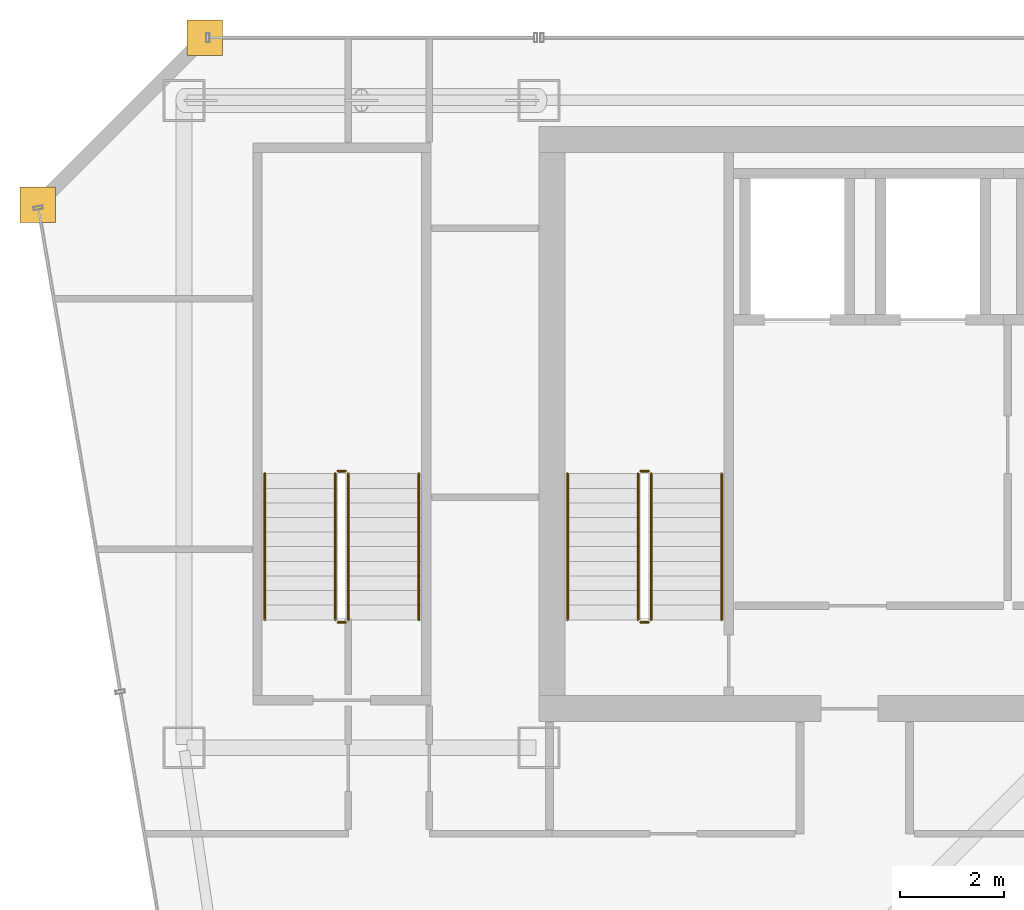
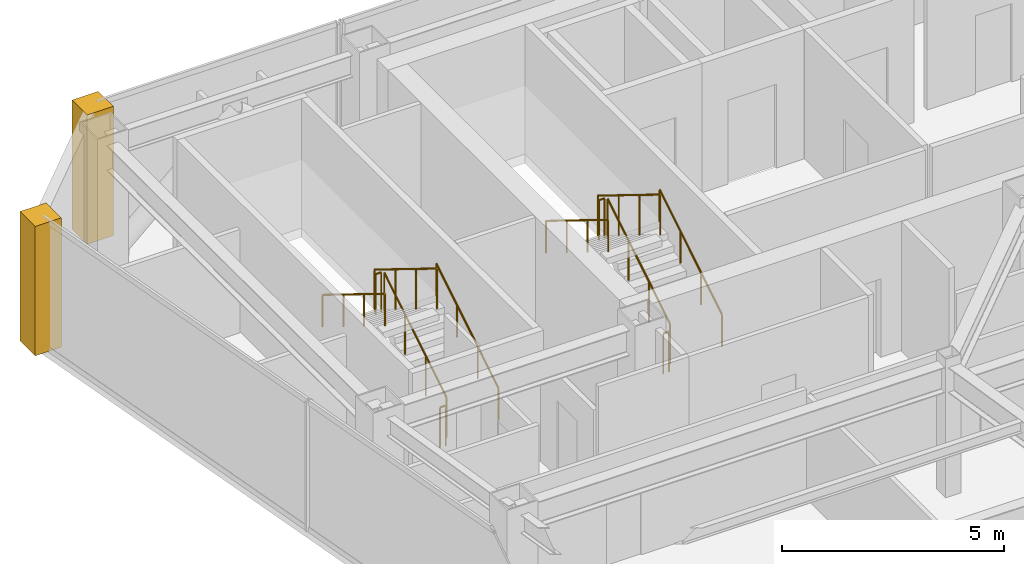
# One storey, part 34 of 35: 12 railings, 2 coverings.
"""IFC4 building model written with IfcOpenShell, lengths in metres."""

from ifc_helpers import new_model, si_unit, direction, frame, origin, origin_2d, place, context, subcontext, project, spatial, polyline, circle, outline, extrude, material, layer, layer_set, type_object, element, save


model = new_model("IFC4")

# Units and contexts
model_context = context("Model", 3, precision=1e-05, world=origin(), true_north=direction((0.0, 1.0)))
body_context = subcontext(model_context, "Body", "Model", "MODEL_VIEW")
ifc_project = project(units=[si_unit("LENGTHUNIT", "METRE"), si_unit("AREAUNIT", "SQUARE_METRE"), si_unit("VOLUMEUNIT", "CUBIC_METRE"), si_unit("PLANEANGLEUNIT", "RADIAN"), si_unit("MASSUNIT", "GRAM", prefix="KILO")], contexts=[model_context])

# Site, building, storey
site_placement = place(None, origin())
site = spatial("IfcSite", under=ifc_project, at=site_placement, CompositionType="ELEMENT")
building_placement = place(site_placement, origin())
building = spatial("IfcBuilding", under=site, at=building_placement, Name="Saevonmaru Cultural Tower", CompositionType="ELEMENT")
storey_placement = place(building_placement, frame((0.0, 0.0, 213.199951171875)))
storey = spatial("IfcBuildingStorey", under=building, at=storey_placement, Name="L49", CompositionType="ELEMENT", Elevation=213.199951171875)

# Coverings
ifc_material_1 = material(Name="Satin Bronze Anodised Aluminium", Category="aluminium")
ifc_layer = layer(ifc_material_1, 0.679931640625, Name="Satin Bronze Anodised Aluminium")
ifc_layer_set = layer_set([ifc_layer], Name="Satin Bronze Anodised Aluminium")
covering_type = type_object("IfcCoveringType", Name="CV-CORNER-CLAD", PredefinedType="CLADDING", material=ifc_layer_set)
covering_1_placement = place(storey_placement, origin())
element("IfcCovering", 1, at=covering_1_placement, inside=storey, type_object=covering_type, Name="L49 Tower Bronze Corner Cladding Pier 11", PredefinedType="CLADDING", context=body_context, shape_type="SweptSolid", body=[
    extrude(outline(polyline([(6.860107421875, 55.659912109375), (7.5400390625, 55.659912109375), (7.5400390625, 56.340087890625), (6.860107421875, 56.340087890625), (6.860107421875, 55.659912109375)])), origin(), (0.0, 0.0, 1.0), 3.550048828125),
])
covering_2_placement = place(storey_placement, origin())
element("IfcCovering", 2, at=covering_2_placement, inside=storey, type_object=covering_type, Name="L49 Tower Bronze Corner Cladding Pier 12", PredefinedType="CLADDING", context=body_context, shape_type="SweptSolid", body=[
    extrude(outline(polyline([(3.659912109375, 52.4599609375), (4.340087890625, 52.4599609375), (4.340087890625, 53.139892578125), (3.659912109375, 53.139892578125), (3.659912109375, 52.4599609375)])), origin(), (0.0, 0.0, 1.0), 3.550048828125),
])

# Railings
ifc_material_2 = material(Name="Architectural Painted Steel", Category="steel")
railing_type_1 = type_object("IfcRailingType", Name="RL-STAIR-GUARD", PredefinedType="GUARDRAIL", material=ifc_material_2)
railing_1_placement = place(storey_placement, frame((15.75, 44.85009765625, 0.1728515625)))
element("IfcRailing", 3, at=railing_1_placement, inside=storey, type_object=railing_type_1, Name="L49 ST-1 stair guard 1", PredefinedType="GUARDRAIL", context=body_context, shape_type="SweptSolid", body=[
    extrude(circle(Radius=0.02392578125, at=origin_2d()), frame((0.0, 0.0, 1.09619140625), z_axis=(0.0, 0.851069175582, 0.525053576669), x_axis=(-1.0, 0.0, 0.0)), (0.0, 0.0, 1.0), 3.289794921875),
    extrude(circle(Radius=0.02099609375, at=origin_2d()), origin(), (0.0, 0.0, 1.0), 1.072021484375),
    extrude(circle(Radius=0.02099609375, at=origin_2d()), frame((0.0, 0.933349609375, 0.57568359375)), (0.0, 0.0, 1.0), 1.072021484375),
    extrude(circle(Radius=0.02099609375, at=origin_2d()), frame((0.0, 1.866455078125, 1.151611328125)), (0.0, 0.0, 1.0), 1.072021484375),
    extrude(circle(Radius=0.02099609375, at=origin_2d()), frame((0.0, 2.7998046875, 1.727294921875)), (0.0, 0.0, 1.0), 1.072021484375),
])
railing_2_placement = place(storey_placement, frame((15.699951171875, 47.699951171875, 1.900146484375)))
element("IfcRailing", 4, at=railing_2_placement, inside=storey, type_object=railing_type_1, Name="L49 ST-1 stair guard 2", PredefinedType="GUARDRAIL", context=body_context, shape_type="SweptSolid", body=[
    extrude(circle(Radius=0.02392578125, at=origin_2d()), frame((0.0, 0.0, 1.09619140625), z_axis=(-1.0, 0.0, 0.0), x_axis=(0.0, -1.0, 0.0)), (0.0, 0.0, 1.0), 0.14990234375),
    extrude(circle(Radius=0.02099609375, at=origin_2d()), origin(), (0.0, 0.0, 1.0), 1.072021484375),
    extrude(circle(Radius=0.02099609375, at=origin_2d()), frame((-0.14990234375, 0.0, 0.0)), (0.0, 0.0, 1.0), 1.072021484375),
])
railing_3_placement = place(storey_placement, frame((15.5, 47.64990234375, 2.07275390625)))
element("IfcRailing", 5, at=railing_3_placement, inside=storey, type_object=railing_type_1, Name="L49 ST-1 stair guard 3", PredefinedType="GUARDRAIL", context=body_context, shape_type="SweptSolid", body=[
    extrude(circle(Radius=0.02392578125, at=origin_2d()), frame((0.0, 0.0, 1.09619140625), z_axis=(0.0, -0.851069175582, 0.525053576669), x_axis=(1.0, 0.0, 0.0)), (0.0, 0.0, 1.0), 3.289794921875),
    extrude(circle(Radius=0.02099609375, at=origin_2d()), origin(), (0.0, 0.0, 1.0), 1.072021484375),
    extrude(circle(Radius=0.02099609375, at=origin_2d()), frame((0.0, -0.933349609375, 0.57568359375)), (0.0, 0.0, 1.0), 1.072021484375),
    extrude(circle(Radius=0.02099609375, at=origin_2d()), frame((0.0, -1.866455078125, 1.151611328125)), (0.0, 0.0, 1.0), 1.072021484375),
    extrude(circle(Radius=0.02099609375, at=origin_2d()), frame((0.0, -2.7998046875, 1.727294921875)), (0.0, 0.0, 1.0), 1.072021484375),
])
railing_4_placement = place(storey_placement, frame((15.699951171875, 44.800048828125, 0.0)))
element("IfcRailing", 6, at=railing_4_placement, inside=storey, type_object=railing_type_1, Name="L49 ST-1 stair guard 4", PredefinedType="GUARDRAIL", context=body_context, shape_type="SweptSolid", body=[
    extrude(circle(Radius=0.02392578125, at=origin_2d()), frame((0.0, 0.0, 1.09619140625), z_axis=(-1.0, 0.0, 0.0), x_axis=(0.0, -1.0, 0.0)), (0.0, 0.0, 1.0), 0.14990234375),
    extrude(circle(Radius=0.02099609375, at=origin_2d()), origin(), (0.0, 0.0, 1.0), 1.072021484375),
    extrude(circle(Radius=0.02099609375, at=origin_2d()), frame((-0.14990234375, 0.0, 0.0)), (0.0, 0.0, 1.0), 1.072021484375),
])
railing_5_placement = place(storey_placement, frame((9.949951171875, 44.85009765625, 0.1728515625)))
element("IfcRailing", 7, at=railing_5_placement, inside=storey, type_object=railing_type_1, Name="L49 ST-3 stair guard 1", PredefinedType="GUARDRAIL", context=body_context, shape_type="SweptSolid", body=[
    extrude(circle(Radius=0.02392578125, at=origin_2d()), frame((0.0, 0.0, 1.09619140625), z_axis=(0.0, 0.851069175582, 0.525053576669), x_axis=(-1.0, 0.0, 0.0)), (0.0, 0.0, 1.0), 3.289794921875),
    extrude(circle(Radius=0.02099609375, at=origin_2d()), origin(), (0.0, 0.0, 1.0), 1.072021484375),
    extrude(circle(Radius=0.02099609375, at=origin_2d()), frame((0.0, 0.933349609375, 0.57568359375)), (0.0, 0.0, 1.0), 1.072021484375),
    extrude(circle(Radius=0.02099609375, at=origin_2d()), frame((0.0, 1.866455078125, 1.151611328125)), (0.0, 0.0, 1.0), 1.072021484375),
    extrude(circle(Radius=0.02099609375, at=origin_2d()), frame((0.0, 2.7998046875, 1.727294921875)), (0.0, 0.0, 1.0), 1.072021484375),
])
railing_6_placement = place(storey_placement, frame((9.89990234375, 47.699951171875, 1.900146484375)))
element("IfcRailing", 8, at=railing_6_placement, inside=storey, type_object=railing_type_1, Name="L49 ST-3 stair guard 2", PredefinedType="GUARDRAIL", context=body_context, shape_type="SweptSolid", body=[
    extrude(circle(Radius=0.02392578125, at=origin_2d()), frame((0.0, 0.0, 1.09619140625), z_axis=(-1.0, 0.0, 0.0), x_axis=(0.0, -1.0, 0.0)), (0.0, 0.0, 1.0), 0.14990234375),
    extrude(circle(Radius=0.02099609375, at=origin_2d()), origin(), (0.0, 0.0, 1.0), 1.072021484375),
    extrude(circle(Radius=0.02099609375, at=origin_2d()), frame((-0.14990234375, 0.0, 0.0)), (0.0, 0.0, 1.0), 1.072021484375),
])
railing_7_placement = place(storey_placement, frame((9.699951171875, 47.64990234375, 2.07275390625)))
element("IfcRailing", 9, at=railing_7_placement, inside=storey, type_object=railing_type_1, Name="L49 ST-3 stair guard 3", PredefinedType="GUARDRAIL", context=body_context, shape_type="SweptSolid", body=[
    extrude(circle(Radius=0.02392578125, at=origin_2d()), frame((0.0, 0.0, 1.09619140625), z_axis=(0.0, -0.851069175582, 0.525053576669), x_axis=(1.0, 0.0, 0.0)), (0.0, 0.0, 1.0), 3.289794921875),
    extrude(circle(Radius=0.02099609375, at=origin_2d()), origin(), (0.0, 0.0, 1.0), 1.072021484375),
    extrude(circle(Radius=0.02099609375, at=origin_2d()), frame((0.0, -0.933349609375, 0.57568359375)), (0.0, 0.0, 1.0), 1.072021484375),
    extrude(circle(Radius=0.02099609375, at=origin_2d()), frame((0.0, -1.866455078125, 1.151611328125)), (0.0, 0.0, 1.0), 1.072021484375),
    extrude(circle(Radius=0.02099609375, at=origin_2d()), frame((0.0, -2.7998046875, 1.727294921875)), (0.0, 0.0, 1.0), 1.072021484375),
])
railing_8_placement = place(storey_placement, frame((9.89990234375, 44.800048828125, 0.0)))
element("IfcRailing", 10, at=railing_8_placement, inside=storey, type_object=railing_type_1, Name="L49 ST-3 stair guard 4", PredefinedType="GUARDRAIL", context=body_context, shape_type="SweptSolid", body=[
    extrude(circle(Radius=0.02392578125, at=origin_2d()), frame((0.0, 0.0, 1.09619140625), z_axis=(-1.0, 0.0, 0.0), x_axis=(0.0, -1.0, 0.0)), (0.0, 0.0, 1.0), 0.14990234375),
    extrude(circle(Radius=0.02099609375, at=origin_2d()), origin(), (0.0, 0.0, 1.0), 1.072021484375),
    extrude(circle(Radius=0.02099609375, at=origin_2d()), frame((-0.14990234375, 0.0, 0.0)), (0.0, 0.0, 1.0), 1.072021484375),
])
railing_type_2 = type_object("IfcRailingType", Name="RL-STAIR-HANDRAIL", PredefinedType="HANDRAIL", material=ifc_material_1)
railing_9_placement = place(storey_placement, frame((17.10009765625, 44.85009765625, 0.1728515625)))
element("IfcRailing", 11, at=railing_9_placement, inside=storey, type_object=railing_type_2, Name="L49 ST-1 stair handrail 1", PredefinedType="HANDRAIL", context=body_context, shape_type="SweptSolid", body=[
    extrude(circle(Radius=0.02392578125, at=origin_2d()), frame((0.0, 0.0, 0.8759765625), z_axis=(0.0, 0.851069175582, 0.525053576669), x_axis=(-1.0, 0.0, 0.0)), (0.0, 0.0, 1.0), 3.289794921875),
    extrude(circle(Radius=0.02099609375, at=origin_2d()), origin(), (0.0, 0.0, 1.0), 0.851806640625),
    extrude(circle(Radius=0.02099609375, at=origin_2d()), frame((0.0, 0.933349609375, 0.57568359375)), (0.0, 0.0, 1.0), 0.851806640625),
    extrude(circle(Radius=0.02099609375, at=origin_2d()), frame((0.0, 1.866455078125, 1.151611328125)), (0.0, 0.0, 1.0), 0.851806640625),
    extrude(circle(Radius=0.02099609375, at=origin_2d()), frame((0.0, 2.7998046875, 1.727294921875)), (0.0, 0.0, 1.0), 0.851806640625),
])
railing_10_placement = place(storey_placement, frame((14.14990234375, 47.64990234375, 2.07275390625)))
element("IfcRailing", 12, at=railing_10_placement, inside=storey, type_object=railing_type_2, Name="L49 ST-1 stair handrail 2", PredefinedType="HANDRAIL", context=body_context, shape_type="SweptSolid", body=[
    extrude(circle(Radius=0.02392578125, at=origin_2d()), frame((0.0, 0.0, 0.8759765625), z_axis=(0.0, -0.851069175582, 0.525053576669), x_axis=(1.0, 0.0, 0.0)), (0.0, 0.0, 1.0), 3.289794921875),
    extrude(circle(Radius=0.02099609375, at=origin_2d()), origin(), (0.0, 0.0, 1.0), 0.851806640625),
    extrude(circle(Radius=0.02099609375, at=origin_2d()), frame((0.0, -0.933349609375, 0.57568359375)), (0.0, 0.0, 1.0), 0.851806640625),
    extrude(circle(Radius=0.02099609375, at=origin_2d()), frame((0.0, -1.866455078125, 1.151611328125)), (0.0, 0.0, 1.0), 0.851806640625),
    extrude(circle(Radius=0.02099609375, at=origin_2d()), frame((0.0, -2.7998046875, 1.727294921875)), (0.0, 0.0, 1.0), 0.851806640625),
])
railing_11_placement = place(storey_placement, frame((11.300048828125, 44.85009765625, 0.1728515625)))
element("IfcRailing", 13, at=railing_11_placement, inside=storey, type_object=railing_type_2, Name="L49 ST-3 stair handrail 1", PredefinedType="HANDRAIL", context=body_context, shape_type="SweptSolid", body=[
    extrude(circle(Radius=0.02392578125, at=origin_2d()), frame((0.0, 0.0, 0.8759765625), z_axis=(0.0, 0.851069175582, 0.525053576669), x_axis=(-1.0, 0.0, 0.0)), (0.0, 0.0, 1.0), 3.289794921875),
    extrude(circle(Radius=0.02099609375, at=origin_2d()), origin(), (0.0, 0.0, 1.0), 0.851806640625),
    extrude(circle(Radius=0.02099609375, at=origin_2d()), frame((0.0, 0.933349609375, 0.57568359375)), (0.0, 0.0, 1.0), 0.851806640625),
    extrude(circle(Radius=0.02099609375, at=origin_2d()), frame((0.0, 1.866455078125, 1.151611328125)), (0.0, 0.0, 1.0), 0.851806640625),
    extrude(circle(Radius=0.02099609375, at=origin_2d()), frame((0.0, 2.7998046875, 1.727294921875)), (0.0, 0.0, 1.0), 0.851806640625),
])
railing_12_placement = place(storey_placement, frame((8.35009765625, 47.64990234375, 2.07275390625)))
element("IfcRailing", 14, at=railing_12_placement, inside=storey, type_object=railing_type_2, Name="L49 ST-3 stair handrail 2", PredefinedType="HANDRAIL", context=body_context, shape_type="SweptSolid", body=[
    extrude(circle(Radius=0.02392578125, at=origin_2d()), frame((0.0, 0.0, 0.8759765625), z_axis=(0.0, -0.851069175582, 0.525053576669), x_axis=(1.0, 0.0, 0.0)), (0.0, 0.0, 1.0), 3.289794921875),
    extrude(circle(Radius=0.02099609375, at=origin_2d()), origin(), (0.0, 0.0, 1.0), 0.851806640625),
    extrude(circle(Radius=0.02099609375, at=origin_2d()), frame((0.0, -0.933349609375, 0.57568359375)), (0.0, 0.0, 1.0), 0.851806640625),
    extrude(circle(Radius=0.02099609375, at=origin_2d()), frame((0.0, -1.866455078125, 1.151611328125)), (0.0, 0.0, 1.0), 0.851806640625),
    extrude(circle(Radius=0.02099609375, at=origin_2d()), frame((0.0, -2.7998046875, 1.727294921875)), (0.0, 0.0, 1.0), 0.851806640625),
])

save(model, "model.ifc")
